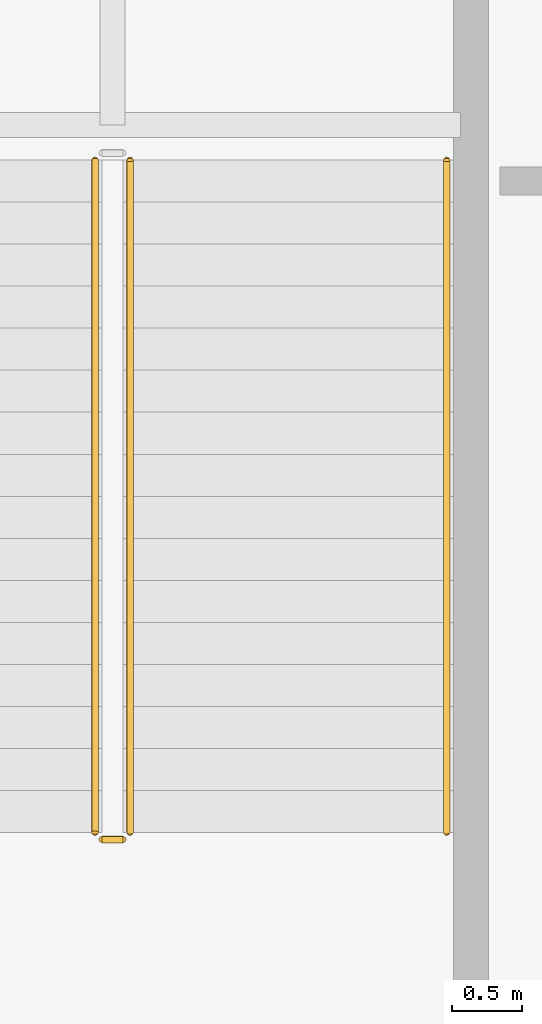
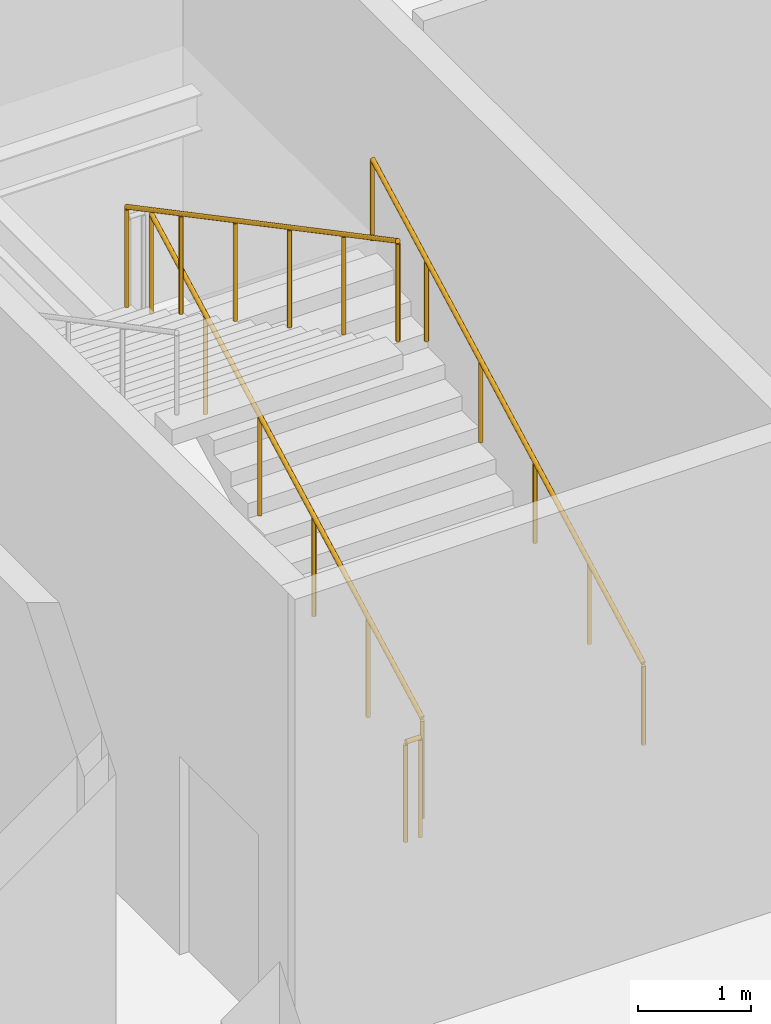
# One storey, part 63 of 89: 4 railings.
"""IFC4 building model written with IfcOpenShell, lengths in metres."""

import ifcopenshell
import ifcopenshell.guid

model = None  # the IFC model being written
_history = None  # IfcOwnerHistory: only IFC2X3 demands one
_inside = {}  # id of a spatial element -> (the spatial element, [elements in it])
_under = {}  # id of a project, library or spatial element -> (it, [spatial elements below it])
_declared = {}  # id of a project -> (the project, [libraries it declares])
_typed = {}  # id of a type object -> (the type object, [elements of that type])
_made_of = {}  # id of a material, layer set ... -> (it, [elements and type objects made of it])


def new_model(schema):
    """Start an empty IFC model of exactly this schema.

    Asked for "IFC4X3", IfcOpenShell would pick the latest addendum, in which some entities
    have other attributes; the version numbers below select the first issue.
    IFC2X3 requires an IfcOwnerHistory on every rooted entity: one is made here for all.
    """
    global model, _history
    if schema == "IFC4X3":
        model = ifcopenshell.file(schema_version=(4, 3, 0, 0))
    else:
        model = ifcopenshell.file(schema=schema)
    _inside.clear()
    _under.clear()
    _declared.clear()
    _typed.clear()
    _made_of.clear()
    _history = None
    if model.schema == "IFC2X3":
        org = make("IfcOrganization", Name="unknown")
        user = make(
            "IfcPersonAndOrganization",
            ThePerson=make("IfcPerson", FamilyName="unknown"),
            TheOrganization=org,
        )
        app = make(
            "IfcApplication",
            ApplicationDeveloper=org,
            Version="unknown",
            ApplicationFullName="unknown",
            ApplicationIdentifier="unknown",
        )
        _history = make(
            "IfcOwnerHistory",
            OwningUser=user,
            OwningApplication=app,
            ChangeAction="ADDED",
            CreationDate=0,
        )
    return model


def make(cls, **values):
    """One entity of the class cls with the attributes given. An attribute that is None is left unset."""
    return model.create_entity(
        cls, **{name: value for name, value in values.items() if value is not None}
    )


def rooted(cls, **values):
    """An entity with a GlobalId (a new one), such as an element, a storey or a relation."""
    return make(cls, GlobalId=ifcopenshell.guid.new(), OwnerHistory=_history, **values)


def si_unit(unit_type, name, prefix=None):
    """IfcSIUnit, for example si_unit("LENGTHUNIT", "METRE", prefix="MILLI")."""
    return make("IfcSIUnit", UnitType=unit_type, Prefix=prefix, Name=name)


def assignment(units):
    """IfcUnitAssignment: the units of a project."""
    return None if units is None else make("IfcUnitAssignment", Units=units)


def point(xyz):
    """IfcCartesianPoint."""
    return None if xyz is None else make("IfcCartesianPoint", Coordinates=xyz)


def direction(xyz):
    """IfcDirection."""
    return None if xyz is None else make("IfcDirection", DirectionRatios=xyz)


def frame(location, z_axis=None, x_axis=None):
    """IfcAxis2Placement3D, a coordinate frame: its origin and axes. An axis left out is left unset."""
    return make(
        "IfcAxis2Placement3D",
        Location=point(location),
        Axis=direction(z_axis),
        RefDirection=direction(x_axis),
    )


def frame_2d(location, x_axis=None):
    """IfcAxis2Placement2D, a coordinate frame in the plane: its origin and x axis."""
    return make(
        "IfcAxis2Placement2D", Location=point(location), RefDirection=direction(x_axis)
    )


def origin():
    """The frame at (0, 0, 0) with its axes left unset."""
    return frame((0.0, 0.0, 0.0))


def origin_2d():
    """The frame at (0, 0) in the plane with its x axis left unset."""
    return frame_2d((0.0, 0.0))


def place(relative_to, where):
    """IfcLocalPlacement: puts the frame where relative to a parent placement (None: the world)."""
    return make(
        "IfcLocalPlacement", PlacementRelTo=relative_to, RelativePlacement=where
    )


def context(
    kind, dimensions, precision=None, world=None, true_north=None, identifier=None
):
    """IfcGeometricRepresentationContext, for example the 3D "Model" context."""
    return make(
        "IfcGeometricRepresentationContext",
        ContextIdentifier=identifier,
        ContextType=kind,
        CoordinateSpaceDimension=dimensions,
        Precision=precision,
        WorldCoordinateSystem=world,
        TrueNorth=true_north,
    )


def subcontext(parent, identifier, kind, view, scale=None):
    """IfcGeometricRepresentationSubContext, for example "Body" below "Model"."""
    return make(
        "IfcGeometricRepresentationSubContext",
        ContextIdentifier=identifier,
        ContextType=kind,
        ParentContext=parent,
        TargetScale=scale,
        TargetView=view,
    )


def project(units=None, contexts=None):
    """IfcProject with its units and contexts."""
    return rooted(
        "IfcProject",
        Name="project",
        RepresentationContexts=contexts,
        UnitsInContext=assignment(units),
    )


def spatial(cls, under=None, at=None, **own):
    """A site, building, storey or space (cls), placed at a placement, below another one or the project."""
    s = rooted(cls, ObjectPlacement=at, **own)
    if under is not None:
        _under.setdefault(under.id(), (under, []))[1].append(s)
    return s


def profile(cls, at=None, kind="AREA", **sizes):
    """A parametric profile (cls). Its sizes go by their IFC names, for example OverallWidth=200.0."""
    return make(cls, ProfileType=kind, Position=at, **sizes)


def circle(**sizes):
    """IfcCircleProfileDef."""
    return profile("IfcCircleProfileDef", **sizes)


def extrude(swept, where, along, depth):
    """IfcExtrudedAreaSolid: the profile swept, set in the frame where, extruded along a direction by depth."""
    return make(
        "IfcExtrudedAreaSolid",
        SweptArea=swept,
        Position=where,
        ExtrudedDirection=direction(along),
        Depth=depth,
    )


def shape(context_of_items, identifier, shape_type, items):
    """IfcShapeRepresentation: the items that make up one representation, for example the "Body"."""
    return make(
        "IfcShapeRepresentation",
        ContextOfItems=context_of_items,
        RepresentationIdentifier=identifier,
        RepresentationType=shape_type,
        Items=items,
    )


def material(Name=None, Category=None):
    """IfcMaterial."""
    return make("IfcMaterial", Name=Name, Category=Category)


def made_of(thing, what):
    """Note that an element or type object is made of a material, layer set ...; save() writes the relation."""
    if what is not None:
        _made_of.setdefault(what.id(), (what, []))[1].append(thing)
    return thing


def type_object(cls, material=None, **own):
    """A type object (cls), such as IfcWallType, which elements share."""
    return made_of(rooted(cls, **own), material)


def element(
    cls,
    number,
    at=None,
    inside=None,
    cuts=None,
    type_object=None,
    material=None,
    context=None,
    identifier="Body",
    shape_type=None,
    held_by="IfcProductDefinitionShape",
    body=None,
    shapes=None,
    **own,
):
    """One element of the class cls, such as IfcWall. Its Tag is "e" and its number.

    at: its placement. inside: the storey or other place that contains it. cuts: it is an
    opening in that element (IfcRelVoidsElement). A single representation is given by context,
    identifier, shape_type and body (its items); several are given by shapes. held_by: the class
    of the entity that holds the representations. save() writes the other relations.
    """
    e = rooted(cls, Tag="e%d" % number, ObjectPlacement=at, **own)
    if body is not None:
        shapes = [shape(context, identifier, shape_type, body)]
    if shapes is not None:
        e.Representation = make(held_by, Representations=shapes)
    if inside is not None:
        _inside.setdefault(inside.id(), (inside, []))[1].append(e)
    if cuts is not None:
        rooted(
            "IfcRelVoidsElement", RelatingBuildingElement=cuts, RelatedOpeningElement=e
        )
    if type_object is not None:
        _typed.setdefault(type_object.id(), (type_object, []))[1].append(e)
    return made_of(e, material)


def aggregate(whole, parts):
    """IfcRelAggregates: a whole, such as a stair, and the parts it consists of."""
    return rooted("IfcRelAggregates", RelatingObject=whole, RelatedObjects=parts)


def save(model, path):
    """Write the relations noted so far, then the file.

    IfcRelAggregates (storeys below a building ...), IfcRelContainedInSpatialStructure (elements
    in a storey), IfcRelDefinesByType, IfcRelAssociatesMaterial and IfcRelDeclares: one each for
    every whole, place, type object, material and project.
    """
    for whole, parts in _under.values():
        aggregate(whole, parts)
    for where, things in _inside.values():
        rooted(
            "IfcRelContainedInSpatialStructure",
            RelatedElements=things,
            RelatingStructure=where,
        )
    for kind, things in _typed.values():
        rooted("IfcRelDefinesByType", RelatedObjects=things, RelatingType=kind)
    for what, things in _made_of.values():
        rooted("IfcRelAssociatesMaterial", RelatedObjects=things, RelatingMaterial=what)
    for by, libraries in _declared.values():
        rooted("IfcRelDeclares", RelatingContext=by, RelatedDefinitions=libraries)
    model.write(path)


model = new_model("IFC4")

# Units and contexts
model_context = context("Model", 3, precision=1e-05, world=origin(), true_north=direction((0.0, 1.0)))
body_context = subcontext(model_context, "Body", "Model", "MODEL_VIEW")
ifc_project = project(units=[si_unit("LENGTHUNIT", "METRE"), si_unit("AREAUNIT", "SQUARE_METRE"), si_unit("VOLUMEUNIT", "CUBIC_METRE"), si_unit("PLANEANGLEUNIT", "RADIAN"), si_unit("MASSUNIT", "GRAM", prefix="KILO")], contexts=[model_context])

# Site, building, storey
site_placement = place(None, origin())
site = spatial("IfcSite", under=ifc_project, at=site_placement, CompositionType="ELEMENT")
building_placement = place(site_placement, origin())
building = spatial("IfcBuilding", under=site, at=building_placement, Name="Koshinbarg Plaza Stadium", CompositionType="ELEMENT")
storey_placement = place(building_placement, origin())
storey = spatial("IfcBuildingStorey", under=building, at=storey_placement, Name="L00", CompositionType="ELEMENT", Elevation=0.0)

# Railings
ifc_material_1 = material(Name="Galvanized painted steel guardrail", Category="steel")
railing_type_1 = type_object("IfcRailingType", Name="RL-GUARD-1100", PredefinedType="GUARDRAIL", material=ifc_material_1)
railing_1_placement = place(storey_placement, frame((50.360107421875, 58.760009765625, 0.158935546875)))
element("IfcRailing", 1, at=railing_1_placement, inside=storey, type_object=railing_type_1, Name="L00 VL02 stair guard 1", PredefinedType="GUARDRAIL", context=body_context, shape_type="SweptSolid", body=[
    extrude(circle(Radius=0.02392578125, at=origin_2d()), frame((0.0, 0.0, 1.076171875), z_axis=(0.0, 0.883802130504, 0.467860870469), x_axis=(-1.0, 0.0, 0.0)), (0.0, 0.0, 1.0), 5.43115234375),
    extrude(circle(Radius=0.02099609375, at=origin_2d()), origin(), (0.0, 0.0, 1.0), 1.052001953125),
    extrude(circle(Radius=0.02099609375, at=origin_2d()), frame((0.0, 0.9599609375, 0.50830078125)), (0.0, 0.0, 1.0), 1.052001953125),
    extrude(circle(Radius=0.02099609375, at=origin_2d()), frame((0.0, 1.919921875, 1.016357421875)), (0.0, 0.0, 1.0), 1.052001953125),
    extrude(circle(Radius=0.02099609375, at=origin_2d()), frame((0.0, 2.880126953125, 1.524658203125)), (0.0, 0.0, 1.0), 1.052001953125),
    extrude(circle(Radius=0.02099609375, at=origin_2d()), frame((0.0, 3.840087890625, 2.03271484375)), (0.0, 0.0, 1.0), 1.052001953125),
    extrude(circle(Radius=0.02099609375, at=origin_2d()), frame((0.0, 4.800048828125, 2.541015625)), (0.0, 0.0, 1.0), 1.052001953125),
])
railing_2_placement = place(storey_placement, frame((50.110107421875, 63.56005859375, 2.85888671875)))
element("IfcRailing", 2, at=railing_2_placement, inside=storey, type_object=railing_type_1, Name="L00 VL02 stair guard 3", PredefinedType="GUARDRAIL", context=body_context, shape_type="SweptSolid", body=[
    extrude(circle(Radius=0.02392578125, at=origin_2d()), frame((0.0, 0.0, 1.076171875), z_axis=(0.0, -0.883802130504, 0.467860870469), x_axis=(1.0, 0.0, 0.0)), (0.0, 0.0, 1.0), 5.43115234375),
    extrude(circle(Radius=0.02099609375, at=origin_2d()), origin(), (0.0, 0.0, 1.0), 1.052001953125),
    extrude(circle(Radius=0.02099609375, at=origin_2d()), frame((0.0, -0.9599609375, 0.50830078125)), (0.0, 0.0, 1.0), 1.052001953125),
    extrude(circle(Radius=0.02099609375, at=origin_2d()), frame((0.0, -1.919921875, 1.016357421875)), (0.0, 0.0, 1.0), 1.052001953125),
    extrude(circle(Radius=0.02099609375, at=origin_2d()), frame((0.0, -2.880126953125, 1.524658203125)), (0.0, 0.0, 1.0), 1.052001953125),
    extrude(circle(Radius=0.02099609375, at=origin_2d()), frame((0.0, -3.840087890625, 2.03271484375)), (0.0, 0.0, 1.0), 1.052001953125),
    extrude(circle(Radius=0.02099609375, at=origin_2d()), frame((0.0, -4.800048828125, 2.541015625)), (0.0, 0.0, 1.0), 1.052001953125),
])
railing_3_placement = place(storey_placement, frame((50.31005859375, 58.7099609375, 0.0)))
element("IfcRailing", 3, at=railing_3_placement, inside=storey, type_object=railing_type_1, Name="L00 VL02 stair guard 4", PredefinedType="GUARDRAIL", context=body_context, shape_type="SweptSolid", body=[
    extrude(circle(Radius=0.02392578125, at=origin_2d()), frame((0.0, 0.0, 1.076171875), z_axis=(-1.0, 0.0, 0.0), x_axis=(0.0, -1.0, 0.0)), (0.0, 0.0, 1.0), 0.150146484375),
    extrude(circle(Radius=0.02099609375, at=origin_2d()), origin(), (0.0, 0.0, 1.0), 1.052001953125),
    extrude(circle(Radius=0.02099609375, at=origin_2d()), frame((-0.150146484375, 0.0, 0.0)), (0.0, 0.0, 1.0), 1.052001953125),
])
ifc_material_2 = material(Name="Brushed stainless steel handrail", Category="steel")
railing_type_2 = type_object("IfcRailingType", Name="RL-HAND-900", PredefinedType="HANDRAIL", material=ifc_material_2)
railing_4_placement = place(storey_placement, frame((52.6201171875, 58.760009765625, 0.158935546875)))
element("IfcRailing", 4, at=railing_4_placement, inside=storey, type_object=railing_type_2, Name="L00 VL02 stair handrail 1", PredefinedType="HANDRAIL", context=body_context, shape_type="SweptSolid", body=[
    extrude(circle(Radius=0.02392578125, at=origin_2d()), frame((0.0, 0.0, 0.8759765625), z_axis=(0.0, 0.883802130504, 0.467860870469), x_axis=(-1.0, 0.0, 0.0)), (0.0, 0.0, 1.0), 5.43115234375),
    extrude(circle(Radius=0.02099609375, at=origin_2d()), origin(), (0.0, 0.0, 1.0), 0.851806640625),
    extrude(circle(Radius=0.02099609375, at=origin_2d()), frame((0.0, 0.9599609375, 0.50830078125)), (0.0, 0.0, 1.0), 0.851806640625),
    extrude(circle(Radius=0.02099609375, at=origin_2d()), frame((0.0, 1.919921875, 1.016357421875)), (0.0, 0.0, 1.0), 0.851806640625),
    extrude(circle(Radius=0.02099609375, at=origin_2d()), frame((0.0, 2.880126953125, 1.524658203125)), (0.0, 0.0, 1.0), 0.851806640625),
    extrude(circle(Radius=0.02099609375, at=origin_2d()), frame((0.0, 3.840087890625, 2.03271484375)), (0.0, 0.0, 1.0), 0.851806640625),
    extrude(circle(Radius=0.02099609375, at=origin_2d()), frame((0.0, 4.800048828125, 2.541015625)), (0.0, 0.0, 1.0), 0.851806640625),
])

save(model, "model.ifc")
